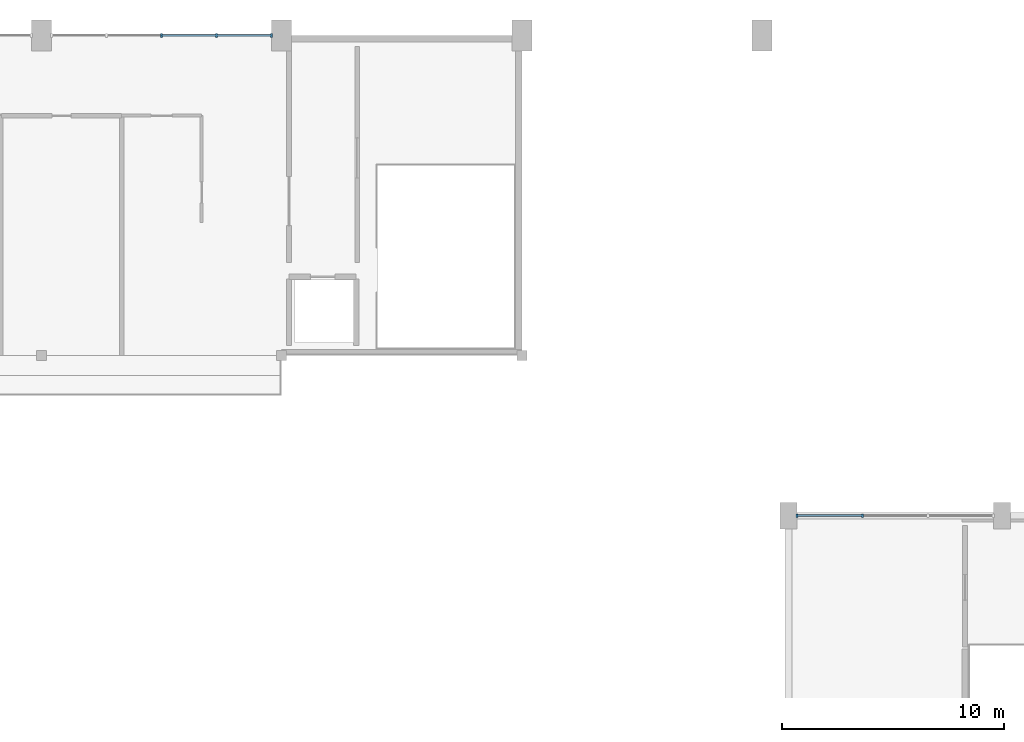
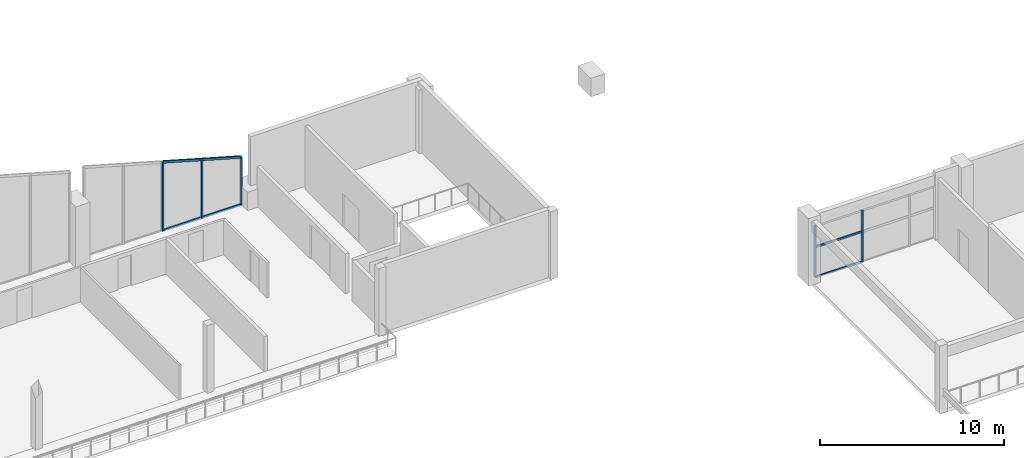
# One storey, part 43 of 89: 10 members, 2 elements without a shape of their own.
"""IFC4 building model written with IfcOpenShell, lengths in metres."""

import ifcopenshell
import ifcopenshell.guid

model = None  # the IFC model being written
_history = None  # IfcOwnerHistory: only IFC2X3 demands one
_inside = {}  # id of a spatial element -> (the spatial element, [elements in it])
_under = {}  # id of a project, library or spatial element -> (it, [spatial elements below it])
_declared = {}  # id of a project -> (the project, [libraries it declares])
_typed = {}  # id of a type object -> (the type object, [elements of that type])
_made_of = {}  # id of a material, layer set ... -> (it, [elements and type objects made of it])


def new_model(schema):
    """Start an empty IFC model of exactly this schema.

    Asked for "IFC4X3", IfcOpenShell would pick the latest addendum, in which some entities
    have other attributes; the version numbers below select the first issue.
    IFC2X3 requires an IfcOwnerHistory on every rooted entity: one is made here for all.
    """
    global model, _history
    if schema == "IFC4X3":
        model = ifcopenshell.file(schema_version=(4, 3, 0, 0))
    else:
        model = ifcopenshell.file(schema=schema)
    _inside.clear()
    _under.clear()
    _declared.clear()
    _typed.clear()
    _made_of.clear()
    _history = None
    if model.schema == "IFC2X3":
        org = make("IfcOrganization", Name="unknown")
        user = make(
            "IfcPersonAndOrganization",
            ThePerson=make("IfcPerson", FamilyName="unknown"),
            TheOrganization=org,
        )
        app = make(
            "IfcApplication",
            ApplicationDeveloper=org,
            Version="unknown",
            ApplicationFullName="unknown",
            ApplicationIdentifier="unknown",
        )
        _history = make(
            "IfcOwnerHistory",
            OwningUser=user,
            OwningApplication=app,
            ChangeAction="ADDED",
            CreationDate=0,
        )
    return model


def make(cls, **values):
    """One entity of the class cls with the attributes given. An attribute that is None is left unset."""
    return model.create_entity(
        cls, **{name: value for name, value in values.items() if value is not None}
    )


def rooted(cls, **values):
    """An entity with a GlobalId (a new one), such as an element, a storey or a relation."""
    return make(cls, GlobalId=ifcopenshell.guid.new(), OwnerHistory=_history, **values)


def si_unit(unit_type, name, prefix=None):
    """IfcSIUnit, for example si_unit("LENGTHUNIT", "METRE", prefix="MILLI")."""
    return make("IfcSIUnit", UnitType=unit_type, Prefix=prefix, Name=name)


def assignment(units):
    """IfcUnitAssignment: the units of a project."""
    return None if units is None else make("IfcUnitAssignment", Units=units)


def point(xyz):
    """IfcCartesianPoint."""
    return None if xyz is None else make("IfcCartesianPoint", Coordinates=xyz)


def direction(xyz):
    """IfcDirection."""
    return None if xyz is None else make("IfcDirection", DirectionRatios=xyz)


def frame(location, z_axis=None, x_axis=None):
    """IfcAxis2Placement3D, a coordinate frame: its origin and axes. An axis left out is left unset."""
    return make(
        "IfcAxis2Placement3D",
        Location=point(location),
        Axis=direction(z_axis),
        RefDirection=direction(x_axis),
    )


def frame_2d(location, x_axis=None):
    """IfcAxis2Placement2D, a coordinate frame in the plane: its origin and x axis."""
    return make(
        "IfcAxis2Placement2D", Location=point(location), RefDirection=direction(x_axis)
    )


def origin():
    """The frame at (0, 0, 0) with its axes left unset."""
    return frame((0.0, 0.0, 0.0))


def origin_2d():
    """The frame at (0, 0) in the plane with its x axis left unset."""
    return frame_2d((0.0, 0.0))


def place(relative_to, where):
    """IfcLocalPlacement: puts the frame where relative to a parent placement (None: the world)."""
    return make(
        "IfcLocalPlacement", PlacementRelTo=relative_to, RelativePlacement=where
    )


def context(
    kind, dimensions, precision=None, world=None, true_north=None, identifier=None
):
    """IfcGeometricRepresentationContext, for example the 3D "Model" context."""
    return make(
        "IfcGeometricRepresentationContext",
        ContextIdentifier=identifier,
        ContextType=kind,
        CoordinateSpaceDimension=dimensions,
        Precision=precision,
        WorldCoordinateSystem=world,
        TrueNorth=true_north,
    )


def subcontext(parent, identifier, kind, view, scale=None):
    """IfcGeometricRepresentationSubContext, for example "Body" below "Model"."""
    return make(
        "IfcGeometricRepresentationSubContext",
        ContextIdentifier=identifier,
        ContextType=kind,
        ParentContext=parent,
        TargetScale=scale,
        TargetView=view,
    )


def project(units=None, contexts=None):
    """IfcProject with its units and contexts."""
    return rooted(
        "IfcProject",
        Name="project",
        RepresentationContexts=contexts,
        UnitsInContext=assignment(units),
    )


def spatial(cls, under=None, at=None, **own):
    """A site, building, storey or space (cls), placed at a placement, below another one or the project."""
    s = rooted(cls, ObjectPlacement=at, **own)
    if under is not None:
        _under.setdefault(under.id(), (under, []))[1].append(s)
    return s


def profile(cls, at=None, kind="AREA", **sizes):
    """A parametric profile (cls). Its sizes go by their IFC names, for example OverallWidth=200.0."""
    return make(cls, ProfileType=kind, Position=at, **sizes)


def rectangle(**sizes):
    """IfcRectangleProfileDef."""
    return profile("IfcRectangleProfileDef", **sizes)


def extrude(swept, where, along, depth):
    """IfcExtrudedAreaSolid: the profile swept, set in the frame where, extruded along a direction by depth."""
    return make(
        "IfcExtrudedAreaSolid",
        SweptArea=swept,
        Position=where,
        ExtrudedDirection=direction(along),
        Depth=depth,
    )


def shape(context_of_items, identifier, shape_type, items):
    """IfcShapeRepresentation: the items that make up one representation, for example the "Body"."""
    return make(
        "IfcShapeRepresentation",
        ContextOfItems=context_of_items,
        RepresentationIdentifier=identifier,
        RepresentationType=shape_type,
        Items=items,
    )


def material(Name=None, Category=None):
    """IfcMaterial."""
    return make("IfcMaterial", Name=Name, Category=Category)


def material_profile(
    of_material, cross_section, Name=None, Category=None, Priority=None
):
    """IfcMaterialProfile: a cross section and its material."""
    return make(
        "IfcMaterialProfile",
        Name=Name,
        Material=of_material,
        Profile=cross_section,
        Priority=Priority,
        Category=Category,
    )


def profile_set(profiles, Name=None, composite=None):
    """IfcMaterialProfileSet."""
    return make(
        "IfcMaterialProfileSet",
        Name=Name,
        MaterialProfiles=profiles,
        CompositeProfile=composite,
    )


def made_of(thing, what):
    """Note that an element or type object is made of a material, layer set ...; save() writes the relation."""
    if what is not None:
        _made_of.setdefault(what.id(), (what, []))[1].append(thing)
    return thing


def type_object(cls, material=None, **own):
    """A type object (cls), such as IfcWallType, which elements share."""
    return made_of(rooted(cls, **own), material)


def element(
    cls,
    number,
    at=None,
    inside=None,
    cuts=None,
    type_object=None,
    material=None,
    context=None,
    identifier="Body",
    shape_type=None,
    held_by="IfcProductDefinitionShape",
    body=None,
    shapes=None,
    **own,
):
    """One element of the class cls, such as IfcWall. Its Tag is "e" and its number.

    at: its placement. inside: the storey or other place that contains it. cuts: it is an
    opening in that element (IfcRelVoidsElement). A single representation is given by context,
    identifier, shape_type and body (its items); several are given by shapes. held_by: the class
    of the entity that holds the representations. save() writes the other relations.
    """
    e = rooted(cls, Tag="e%d" % number, ObjectPlacement=at, **own)
    if body is not None:
        shapes = [shape(context, identifier, shape_type, body)]
    if shapes is not None:
        e.Representation = make(held_by, Representations=shapes)
    if inside is not None:
        _inside.setdefault(inside.id(), (inside, []))[1].append(e)
    if cuts is not None:
        rooted(
            "IfcRelVoidsElement", RelatingBuildingElement=cuts, RelatedOpeningElement=e
        )
    if type_object is not None:
        _typed.setdefault(type_object.id(), (type_object, []))[1].append(e)
    return made_of(e, material)


def aggregate(whole, parts):
    """IfcRelAggregates: a whole, such as a stair, and the parts it consists of."""
    return rooted("IfcRelAggregates", RelatingObject=whole, RelatedObjects=parts)


def save(model, path):
    """Write the relations noted so far, then the file.

    IfcRelAggregates (storeys below a building ...), IfcRelContainedInSpatialStructure (elements
    in a storey), IfcRelDefinesByType, IfcRelAssociatesMaterial and IfcRelDeclares: one each for
    every whole, place, type object, material and project.
    """
    for whole, parts in _under.values():
        aggregate(whole, parts)
    for where, things in _inside.values():
        rooted(
            "IfcRelContainedInSpatialStructure",
            RelatedElements=things,
            RelatingStructure=where,
        )
    for kind, things in _typed.values():
        rooted("IfcRelDefinesByType", RelatedObjects=things, RelatingType=kind)
    for what, things in _made_of.values():
        rooted("IfcRelAssociatesMaterial", RelatedObjects=things, RelatingMaterial=what)
    for by, libraries in _declared.values():
        rooted("IfcRelDeclares", RelatingContext=by, RelatedDefinitions=libraries)
    model.write(path)


model = new_model("IFC4")

# Units and contexts
model_context = context("Model", 3, precision=1e-05, world=origin(), true_north=direction((0.0, 1.0)))
body_context = subcontext(model_context, "Body", "Model", "MODEL_VIEW")
ifc_project = project(units=[si_unit("LENGTHUNIT", "METRE"), si_unit("AREAUNIT", "SQUARE_METRE"), si_unit("VOLUMEUNIT", "CUBIC_METRE"), si_unit("PLANEANGLEUNIT", "RADIAN"), si_unit("MASSUNIT", "GRAM", prefix="KILO")], contexts=[model_context])

# Site, building, storey
site_placement = place(None, origin())
site = spatial("IfcSite", under=ifc_project, at=site_placement, CompositionType="ELEMENT")
building_placement = place(site_placement, origin())
building = spatial("IfcBuilding", under=site, at=building_placement, Name="Suirenkawa Promenade Aquatics Centre", CompositionType="ELEMENT")
storey_placement = place(building_placement, frame((0.0, 0.0, 9.60009765625)))
storey = spatial("IfcBuildingStorey", under=building, at=storey_placement, Name="L02", CompositionType="ELEMENT", Elevation=9.60009765625)

# Curtain wall, members
ifc_material = material(Name="Anodised aluminium 6063-T6", Category="aluminium")
curtain_wall_type_1 = type_object("IfcCurtainWallType", Name="CWAT-V2GL02-19", PredefinedType="NOTDEFINED", material=ifc_material)
curtain_wall_1_placement = place(storey_placement, origin())
curtain_wall_1 = element("IfcCurtainWall", 1, at=curtain_wall_1_placement, inside=storey, type_object=curtain_wall_type_1, Name="Curtain wall CWA-19 CW-038", PredefinedType="NOTDEFINED")
ifc_material_profile_1 = material_profile(ifc_material, rectangle(XDim=0.090087890625, YDim=0.159912109375, at=origin_2d()), Name="ALU MULL 90x160", Category="aluminium")
ifc_profile_set_1 = profile_set([ifc_material_profile_1], Name="Anodised aluminium 6063-T6")
member_type_1 = type_object("IfcMemberType", Name="CWM-160x90", PredefinedType="MULLION", material=ifc_profile_set_1)
member_1_placement = place(storey_placement, frame((156.3740234375, 100.800048828125, 0.0), z_axis=(0.0, 0.0, 1.0), x_axis=(1.0, 0.0, 0.0)))
member_1 = element("IfcMember", 2, at=member_1_placement, type_object=member_type_1, Name="Mullion ML-03 CWM-00778", PredefinedType="MULLION", context=body_context, shape_type="SweptSolid", body=[
    extrude(rectangle(XDim=0.090087890625, YDim=0.159912109375, at=origin_2d()), origin(), (0.0, 0.0, 1.0), 3.419921875),
])
member_2_placement = place(storey_placement, frame((159.32470703125, 100.800048828125, 0.0), z_axis=(0.0, 0.0, 1.0), x_axis=(1.0, 0.0, 0.0)))
member_2 = element("IfcMember", 3, at=member_2_placement, type_object=member_type_1, Name="Mullion ML-03 CWM-00779", PredefinedType="MULLION", context=body_context, shape_type="SweptSolid", body=[
    extrude(rectangle(XDim=0.090087890625, YDim=0.159912109375, at=origin_2d()), origin(), (0.0, 0.0, 1.0), 3.419921875),
])

curtain_wall_type_2 = type_object("IfcCurtainWallType", Name="CWAT-CLERN-13", PredefinedType="NOTDEFINED", material=ifc_material)
curtain_wall_2_placement = place(storey_placement, origin())
curtain_wall_2 = element("IfcCurtainWall", 4, at=curtain_wall_2_placement, inside=storey, type_object=curtain_wall_type_2, Name="Curtain wall CWA-13 CW-029", PredefinedType="NOTDEFINED")
ifc_material_profile_2 = material_profile(ifc_material, rectangle(XDim=0.094970703125, YDim=0.18994140625, at=origin_2d()), Name="ALU MULL 95x190", Category="aluminium")
ifc_profile_set_2 = profile_set([ifc_material_profile_2], Name="Anodised aluminium 6063-T6")
member_type_2 = type_object("IfcMemberType", Name="CWM-190x95", PredefinedType="MULLION", material=ifc_profile_set_2)
member_3_placement = place(storey_placement, frame((127.800048828125, 122.39990234375, 0.0), z_axis=(0.0, 0.0, 1.0), x_axis=(1.0, 0.0, 0.0)))
member_3 = element("IfcMember", 5, at=member_3_placement, type_object=member_type_2, Name="Mullion ML-02 CWM-00606", PredefinedType="MULLION", context=body_context, shape_type="SweptSolid", body=[
    extrude(rectangle(XDim=0.094970703125, YDim=0.18994140625, at=origin_2d()), origin(), (0.0, 0.0, 1.0), 4.5498046875),
])
member_4_placement = place(storey_placement, frame((130.275390625, 122.39990234375, 0.0), z_axis=(0.0, 0.0, 1.0), x_axis=(1.0, 0.0, 0.0)))
member_4 = element("IfcMember", 6, at=member_4_placement, type_object=member_type_2, Name="Mullion ML-02 CWM-00607", PredefinedType="MULLION", context=body_context, shape_type="SweptSolid", body=[
    extrude(rectangle(XDim=0.094970703125, YDim=0.18994140625, at=origin_2d()), origin(), (0.0, 0.0, 1.0), 3.849853515625),
])
member_5_placement = place(storey_placement, frame((132.7509765625, 122.39990234375, 0.0), z_axis=(0.0, 0.0, 1.0), x_axis=(1.0, 0.0, 0.0)))
member_5 = element("IfcMember", 7, at=member_5_placement, type_object=member_type_2, Name="Mullion ML-02 CWM-00608", PredefinedType="MULLION", context=body_context, shape_type="SweptSolid", body=[
    extrude(rectangle(XDim=0.094970703125, YDim=0.18994140625, at=origin_2d()), origin(), (0.0, 0.0, 1.0), 3.14990234375),
])

# Member
ifc_material_profile_3 = material_profile(ifc_material, rectangle(XDim=0.090087890625, YDim=0.1298828125, at=origin_2d()), Name="ALU TRAN 90x130", Category="aluminium")
ifc_profile_set_3 = profile_set([ifc_material_profile_3], Name="Anodised aluminium 6063-T6")
member_type_3 = type_object("IfcMemberType", Name="CWT-130x90", PredefinedType="USERDEFINED", material=ifc_profile_set_3)
member_6_placement = place(storey_placement, frame((156.3740234375, 100.800048828125, 0.0), z_axis=(1.0, 0.0, 0.0), x_axis=(0.0, 1.0, 0.0)))
member_6 = element("IfcMember", 8, at=member_6_placement, type_object=member_type_3, Name="Transom TR-03 CWT-00782", ObjectType="TRANSOM", PredefinedType="USERDEFINED", context=body_context, shape_type="SweptSolid", body=[
    extrude(rectangle(XDim=0.090087890625, YDim=0.1298828125, at=origin_2d()), origin(), (0.0, 0.0, 1.0), 2.95068359375),
])

member_7_placement = place(storey_placement, frame((156.3740234375, 100.800048828125, 2.0), z_axis=(1.0, 0.0, 0.0), x_axis=(0.0, 1.0, 0.0)))
member_7 = element("IfcMember", 9, at=member_7_placement, type_object=member_type_3, Name="Transom TR-03 CWT-00785", ObjectType="TRANSOM", PredefinedType="USERDEFINED", context=body_context, shape_type="SweptSolid", body=[
    extrude(rectangle(XDim=0.090087890625, YDim=0.1298828125, at=origin_2d()), origin(), (0.0, 0.0, 1.0), 2.95068359375),
])

aggregate(curtain_wall_1, [member_1, member_2, member_6, member_7])

ifc_material_profile_4 = material_profile(ifc_material, rectangle(XDim=0.094970703125, YDim=0.14990234375, at=origin_2d()), Name="ALU TRAN 95x150", Category="aluminium")
ifc_profile_set_4 = profile_set([ifc_material_profile_4], Name="Anodised aluminium 6063-T6")
member_type_4 = type_object("IfcMemberType", Name="CWT-150x95", PredefinedType="USERDEFINED", material=ifc_profile_set_4)
member_8_placement = place(storey_placement, frame((127.800048828125, 122.39990234375, 0.0), z_axis=(1.0, 0.0, 0.0), x_axis=(0.0, 1.0, 0.0)))
member_8 = element("IfcMember", 10, at=member_8_placement, type_object=member_type_4, Name="Transom TR-02 CWT-00611", ObjectType="TRANSOM", PredefinedType="USERDEFINED", context=body_context, shape_type="SweptSolid", body=[
    extrude(rectangle(XDim=0.094970703125, YDim=0.14990234375, at=origin_2d()), origin(), (0.0, 0.0, 1.0), 2.475341796875),
])

member_9_placement = place(storey_placement, frame((130.275390625, 122.39990234375, 0.0), z_axis=(1.0, 0.0, 0.0), x_axis=(0.0, 1.0, 0.0)))
member_9 = element("IfcMember", 11, at=member_9_placement, type_object=member_type_4, Name="Transom TR-02 CWT-00612", ObjectType="TRANSOM", PredefinedType="USERDEFINED", context=body_context, shape_type="SweptSolid", body=[
    extrude(rectangle(XDim=0.094970703125, YDim=0.14990234375, at=origin_2d()), origin(), (0.0, 0.0, 1.0), 2.4755859375),
])

member_10_placement = place(storey_placement, frame((127.800048828125, 122.39990234375, 4.5498046875), z_axis=(0.962272408902, 0.0, -0.272087873793), x_axis=(0.0, 1.0, 0.0)))
member_10 = element("IfcMember", 12, at=member_10_placement, type_object=member_type_4, Name="Roofline transom TR-02 CWT-00614", ObjectType="TRANSOM", PredefinedType="USERDEFINED", context=body_context, shape_type="SweptSolid", body=[
    extrude(rectangle(XDim=0.094970703125, YDim=0.14990234375, at=origin_2d()), origin(), (0.0, 0.0, 1.0), 5.14501953125),
])

aggregate(curtain_wall_2, [member_3, member_4, member_5, member_8, member_9, member_10])

save(model, "model.ifc")
